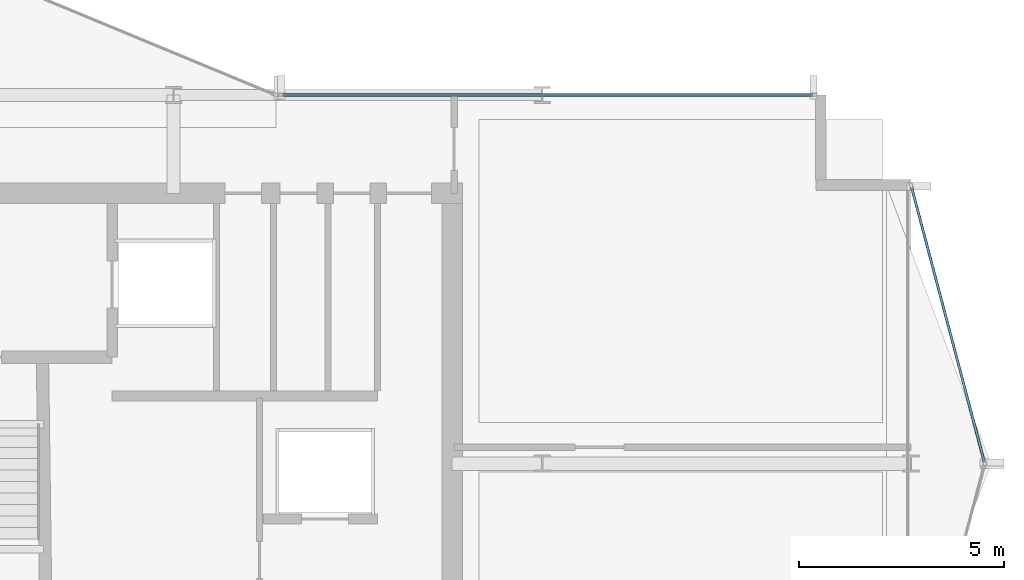
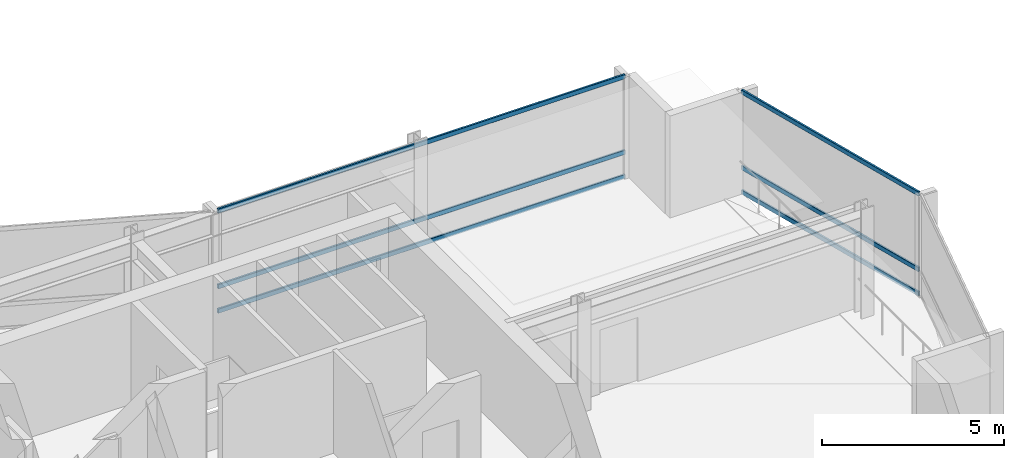
# One storey, part 13 of 27: 6 members, 2 elements without a shape of their own.
"""IFC4 building model written with IfcOpenShell, lengths in metres."""

from ifc_helpers import new_model, si_unit, direction, frame, origin, origin_2d, place, context, subcontext, project, spatial, hollow_rectangle, extrude, material, layer, layer_set, material_profile, profile_set, type_object, element, aggregate, save


model = new_model("IFC4")

# Units and contexts
model_context = context("Model", 3, precision=1e-05, world=origin(), true_north=direction((0.0, 1.0)))
body_context = subcontext(model_context, "Body", "Model", "MODEL_VIEW")
ifc_project = project(units=[si_unit("LENGTHUNIT", "METRE"), si_unit("AREAUNIT", "SQUARE_METRE"), si_unit("VOLUMEUNIT", "CUBIC_METRE"), si_unit("PLANEANGLEUNIT", "RADIAN"), si_unit("MASSUNIT", "GRAM", prefix="KILO")], contexts=[model_context])

# Site, building, storey
site_placement = place(None, origin())
site = spatial("IfcSite", under=ifc_project, at=site_placement, CompositionType="ELEMENT")
building_placement = place(site_placement, origin())
building = spatial("IfcBuilding", under=site, at=building_placement, Name="Solvaryn Broadcast Tower", CompositionType="ELEMENT")
storey_placement = place(building_placement, frame((0.0, 0.0, 177.89990234375)))
storey = spatial("IfcBuildingStorey", under=building, at=storey_placement, Name="L44", CompositionType="ELEMENT", Elevation=177.89990234375)

# Curtain wall, members
ifc_material_1 = material(Name="Aluminium and Terracotta Unitised Curtain Wall", Category="masonry")
ifc_layer = layer(ifc_material_1, 0.199951171875)
ifc_layer_set = layer_set([ifc_layer], Name="CW-SYS2-LOWMID")
curtain_wall_type = type_object("IfcCurtainWallType", Name="CW-SYS2-LOWMID", PredefinedType="NOTDEFINED", material=ifc_layer_set)
curtain_wall_1_placement = place(storey_placement, origin())
curtain_wall_1 = element("IfcCurtainWall", 1, at=curtain_wall_1_placement, inside=storey, type_object=curtain_wall_type, Name="L44 Curtain Wall ET1", PredefinedType="NOTDEFINED")
ifc_material_2 = material(Name="Anodised Aluminium 6063-T6", Category="aluminium")
ifc_material_profile = material_profile(ifc_material_2, hollow_rectangle(XDim=0.06494140625, YDim=0.14990234375, WallThickness=0.00390625, InnerFilletRadius=0.00390625, OuterFilletRadius=0.008056640625, at=origin_2d()))
ifc_profile_set = profile_set([ifc_material_profile], Name="Anodised Aluminium 6063-T6")
member_type = type_object("IfcMemberType", Name="CW-TRN-150", PredefinedType="USERDEFINED", material=ifc_profile_set)
member_1_placement = place(storey_placement, frame((54.015380859375, 24.741943359375, 0.030029296875), z_axis=(0.255897413051, -0.966703943301, 0.0), x_axis=(0.966703943301, 0.255897413051, 0.0)))
member_1 = element("IfcMember", 2, at=member_1_placement, type_object=member_type, Name="CWS2 transom 1.1", ObjectType="TRANSOM", PredefinedType="USERDEFINED", context=body_context, shape_type="SweptSolid", body=[
    extrude(hollow_rectangle(XDim=0.06494140625, YDim=0.14990234375, WallThickness=0.00390625, InnerFilletRadius=0.00390625, OuterFilletRadius=0.008056640625, at=origin_2d()), origin(), (0.0, 0.0, 1.0), 6.9140625),
])
member_2_placement = place(storey_placement, frame((54.015380859375, 24.741943359375, 0.85009765625), z_axis=(0.255897413051, -0.966703943301, 0.0), x_axis=(0.966703943301, 0.255897413051, 0.0)))
member_2 = element("IfcMember", 3, at=member_2_placement, type_object=member_type, Name="CWS2 transom 1.2", ObjectType="TRANSOM", PredefinedType="USERDEFINED", context=body_context, shape_type="SweptSolid", body=[
    extrude(hollow_rectangle(XDim=0.06494140625, YDim=0.14990234375, WallThickness=0.00390625, InnerFilletRadius=0.00390625, OuterFilletRadius=0.008056640625, at=origin_2d()), origin(), (0.0, 0.0, 1.0), 6.9140625),
])
member_3_placement = place(storey_placement, frame((54.015380859375, 24.741943359375, 3.39013671875), z_axis=(0.255897413051, -0.966703943301, 0.0), x_axis=(0.966703943301, 0.255897413051, 0.0)))
member_3 = element("IfcMember", 4, at=member_3_placement, type_object=member_type, Name="CWS2 transom 1.3", ObjectType="TRANSOM", PredefinedType="USERDEFINED", context=body_context, shape_type="SweptSolid", body=[
    extrude(hollow_rectangle(XDim=0.06494140625, YDim=0.14990234375, WallThickness=0.00390625, InnerFilletRadius=0.00390625, OuterFilletRadius=0.008056640625, at=origin_2d()), origin(), (0.0, 0.0, 1.0), 6.9140625),
])
aggregate(curtain_wall_1, [member_1, member_2, member_3])

curtain_wall_2_placement = place(storey_placement, origin())
curtain_wall_2 = element("IfcCurtainWall", 5, at=curtain_wall_2_placement, inside=storey, type_object=curtain_wall_type, Name="L44 Curtain Wall IH", PredefinedType="NOTDEFINED")
member_4_placement = place(storey_placement, frame((38.659912109375, 27.0, 0.030029296875), z_axis=(1.0, 0.0, 0.0), x_axis=(0.0, 1.0, 0.0)))
member_4 = element("IfcMember", 6, at=member_4_placement, type_object=member_type, Name="CWS2 transom 1.1", ObjectType="TRANSOM", PredefinedType="USERDEFINED", context=body_context, shape_type="SweptSolid", body=[
    extrude(hollow_rectangle(XDim=0.06494140625, YDim=0.14990234375, WallThickness=0.00390625, InnerFilletRadius=0.00390625, OuterFilletRadius=0.008056640625, at=origin_2d()), origin(), (0.0, 0.0, 1.0), 12.93017578125),
])
member_5_placement = place(storey_placement, frame((38.659912109375, 27.0, 0.85009765625), z_axis=(1.0, 0.0, 0.0), x_axis=(0.0, 1.0, 0.0)))
member_5 = element("IfcMember", 7, at=member_5_placement, type_object=member_type, Name="CWS2 transom 1.2", ObjectType="TRANSOM", PredefinedType="USERDEFINED", context=body_context, shape_type="SweptSolid", body=[
    extrude(hollow_rectangle(XDim=0.06494140625, YDim=0.14990234375, WallThickness=0.00390625, InnerFilletRadius=0.00390625, OuterFilletRadius=0.008056640625, at=origin_2d()), origin(), (0.0, 0.0, 1.0), 12.93017578125),
])
member_6_placement = place(storey_placement, frame((38.659912109375, 27.0, 3.39013671875), z_axis=(1.0, 0.0, 0.0), x_axis=(0.0, 1.0, 0.0)))
member_6 = element("IfcMember", 8, at=member_6_placement, type_object=member_type, Name="CWS2 transom 1.3", ObjectType="TRANSOM", PredefinedType="USERDEFINED", context=body_context, shape_type="SweptSolid", body=[
    extrude(hollow_rectangle(XDim=0.06494140625, YDim=0.14990234375, WallThickness=0.00390625, InnerFilletRadius=0.00390625, OuterFilletRadius=0.008056640625, at=origin_2d()), origin(), (0.0, 0.0, 1.0), 12.93017578125),
])
aggregate(curtain_wall_2, [member_4, member_5, member_6])

save(model, "model.ifc")
